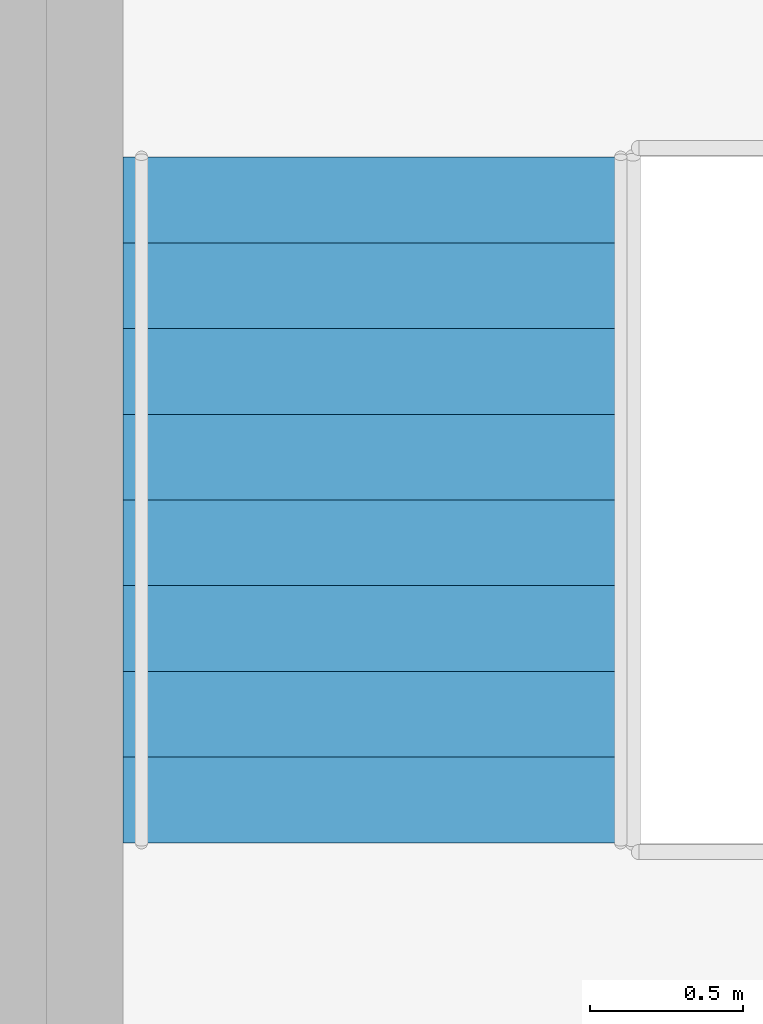
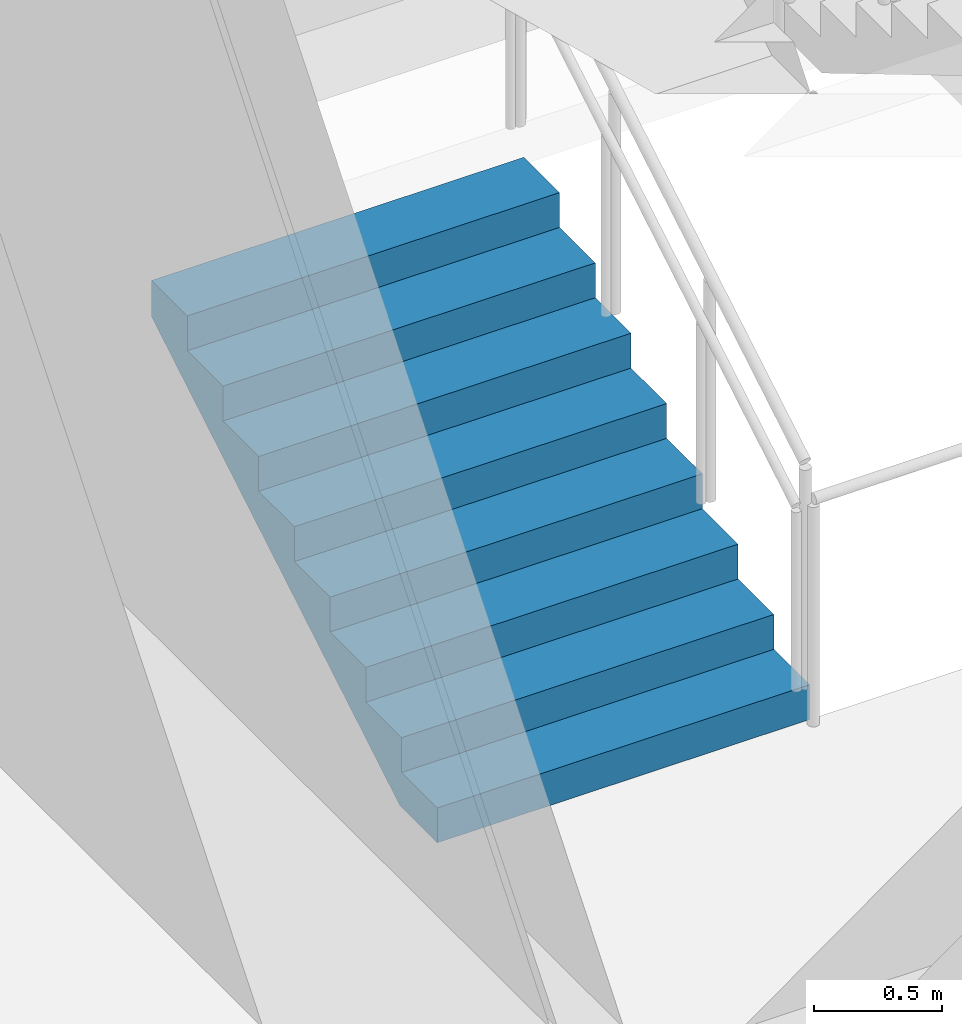
# One storey, part 35 of 57: 1 stair flight, 1 element without a shape of its own.
"""IFC4 building model written with IfcOpenShell, lengths in metres."""

from ifc_helpers import new_model, si_unit, direction, frame, origin, place, context, subcontext, project, spatial, triangles, material, type_object, element, aggregate, save


model = new_model("IFC4")

# Units and contexts
model_context = context("Model", 3, precision=1e-05, world=origin(), true_north=direction((0.0, 1.0)))
body_context = subcontext(model_context, "Body", "Model", "MODEL_VIEW")
ifc_project = project(units=[si_unit("LENGTHUNIT", "METRE"), si_unit("AREAUNIT", "SQUARE_METRE"), si_unit("VOLUMEUNIT", "CUBIC_METRE"), si_unit("PLANEANGLEUNIT", "RADIAN"), si_unit("MASSUNIT", "GRAM", prefix="KILO")], contexts=[model_context])

# Site, building, storey
site_placement = place(None, origin())
site = spatial("IfcSite", under=ifc_project, at=site_placement, CompositionType="ELEMENT")
building_placement = place(site_placement, origin())
building = spatial("IfcBuilding", under=site, at=building_placement, Name="Orbita Commons", CompositionType="ELEMENT")
storey_placement = place(building_placement, origin())
storey = spatial("IfcBuildingStorey", under=building, at=storey_placement, Name="L00", CompositionType="ELEMENT", Elevation=0.0)

# Stair, stair flight
ifc_material_1 = material(Name="Precast concrete C40/50", Category="concrete")
stair_type = type_object("IfcStairType", Name="Podium exit stair 4 flights 9 risers 167", PredefinedType="HALF_TURN_STAIR", material=ifc_material_1)
stair_placement = place(storey_placement, origin())
stair = element("IfcStair", 1, at=stair_placement, inside=storey, type_object=stair_type, Name="Podium exit stair PS2 L00", PredefinedType="HALF_TURN_STAIR")
ifc_material_2 = material(Name="Precast concrete C40/50", Category="concrete")
stair_flight_type = type_object("IfcStairFlightType", Name="Podium stair flight 9 risers 167 x 1685", PredefinedType="STRAIGHT", material=ifc_material_2)
stair_flight_placement = place(storey_placement, frame((73.5673828125, 29.820068359375, 0.0), z_axis=(0.0, 0.0, 1.0), x_axis=(0.0, 1.0, 0.0)))
stair_flight = element("IfcStairFlight", 2, at=stair_flight_placement, type_object=stair_flight_type, Name="PS2 flight 1", NumberOfRisers=9, NumberOfTreads=8, PredefinedType="STRAIGHT", RiserHeight=0.166666667, TreadLength=0.28, context=body_context, shape_type="Tessellation", body=[
    triangles([(0.0, 0.842529, 0.0), (0.0, 0.842529, 0.020833), (0.0, 0.702108, 0.020833), (0.0, 0.702108, 0.0), (0.0, 0.561686, 0.020833), (0.0, 0.561686, 0.0), (0.0, 0.421265, 0.020833), (0.0, 0.421265, 0.0), (0.0, 0.280843, 0.020833), (0.0, 0.280843, 0.0), (0.0, 0.140422, 0.020833), (0.0, 0.140422, 0.0), (0.0, 0.0, 0.020833), (0.0, 0.0, 0.0), (0.0, -0.140422, 0.020833), (0.0, -0.140422, 0.0), (0.0, -0.280843, 0.020833), (0.0, -0.280843, 0.0), (0.0, -0.421265, 0.020833), (0.0, -0.421265, 0.0), (0.0, -0.561686, 0.020833), (0.0, -0.561686, 0.0), (0.0, -0.702108, 0.020833), (0.0, -0.702108, 0.0), (0.0, -0.842529, 0.020833), (0.0, -0.842529, 0.0), (0.0, 0.842529, 0.041667), (0.0, 0.702108, 0.041667), (0.0, 0.561686, 0.041667), (0.0, 0.421265, 0.041667), (0.0, 0.280843, 0.041667), (0.0, 0.140422, 0.041667), (0.0, 0.0, 0.041667), (0.0, -0.140422, 0.041667), (0.0, -0.280843, 0.041667), (0.0, -0.421265, 0.041667), (0.0, -0.561686, 0.041667), (0.0, -0.702108, 0.041667), (0.0, -0.842529, 0.041667), (0.0, 0.842529, 0.0625), (0.0, 0.702108, 0.0625), (0.0, 0.561686, 0.0625), (0.0, 0.421265, 0.0625), (0.0, 0.280843, 0.0625), (0.0, 0.140422, 0.0625), (0.0, 0.0, 0.0625), (0.0, -0.140422, 0.0625), (0.0, -0.280843, 0.0625), (0.0, -0.421265, 0.0625), (0.0, -0.561686, 0.0625), (0.0, -0.702108, 0.0625), (0.0, -0.842529, 0.0625), (0.0, 0.842529, 0.083333), (0.0, 0.702108, 0.083333), (0.0, 0.561686, 0.083333), (0.0, 0.421265, 0.083333), (0.0, 0.280843, 0.083333), (0.0, 0.140422, 0.083333), (0.0, 0.0, 0.083333), (0.0, -0.140422, 0.083333), (0.0, -0.280843, 0.083333), (0.0, -0.421265, 0.083333), (0.0, -0.561686, 0.083333), (0.0, -0.702108, 0.083333), (0.0, -0.842529, 0.083333), (0.0, 0.842529, 0.104167), (0.0, 0.702108, 0.104167), (0.0, 0.561686, 0.104167), (0.0, 0.421265, 0.104167), (0.0, 0.280843, 0.104167), (0.0, 0.140422, 0.104167), (0.0, 0.0, 0.104167), (0.0, -0.140422, 0.104167), (0.0, -0.280843, 0.104167), (0.0, -0.421265, 0.104167), (0.0, -0.561686, 0.104167), (0.0, -0.702108, 0.104167), (0.0, -0.842529, 0.104167), (0.0, 0.842529, 0.125), (0.0, 0.702108, 0.125), (0.0, 0.561686, 0.125), (0.0, 0.421265, 0.125), (0.0, 0.280843, 0.125), (0.0, 0.140422, 0.125), (0.0, 0.0, 0.125), (0.0, -0.140422, 0.125), (0.0, -0.280843, 0.125), (0.0, -0.421265, 0.125), (0.0, -0.561686, 0.125), (0.0, -0.702108, 0.125), (0.0, -0.842529, 0.125), (0.0, 0.842529, 0.145833), (0.0, 0.702108, 0.145833), (0.0, 0.561686, 0.145833), (0.0, 0.421265, 0.145833), (0.0, 0.280843, 0.145833), (0.0, 0.140422, 0.145833), (0.0, 0.0, 0.145833), (0.0, -0.140422, 0.145833), (0.0, -0.280843, 0.145833), (0.0, -0.421265, 0.145833), (0.0, -0.561686, 0.145833), (0.0, -0.702108, 0.145833), (0.0, -0.842529, 0.145833), (0.0, 0.842529, 0.166667), (0.0, 0.702108, 0.166667), (0.0, 0.561686, 0.166667), (0.0, 0.421265, 0.166667), (0.0, 0.280843, 0.166667), (0.0, 0.140422, 0.166667), (0.0, 0.0, 0.166667), (0.0, -0.140422, 0.166667), (0.0, -0.280843, 0.166667), (0.0, -0.421265, 0.166667), (0.0, -0.561686, 0.166667), (0.0, -0.702108, 0.166667), (0.0, -0.842529, 0.166667), (0.28, 0.842529, 0.166667), (0.28, 0.702108, 0.166667), (0.28, 0.561686, 0.166667), (0.28, 0.421265, 0.166667), (0.28, 0.280843, 0.166667), (0.28, 0.140422, 0.166667), (0.28, 0.0, 0.166667), (0.28, -0.140422, 0.166667), (0.28, -0.280843, 0.166667), (0.28, -0.421265, 0.166667), (0.28, -0.561686, 0.166667), (0.28, -0.702108, 0.166667), (0.28, -0.842529, 0.166667), (0.28, 0.842529, 0.333333), (0.28, 0.702108, 0.333333), (0.28, 0.561686, 0.333333), (0.28, 0.421265, 0.333333), (0.28, 0.280843, 0.333333), (0.28, 0.140422, 0.333333), (0.28, 0.0, 0.333333), (0.28, -0.140422, 0.333333), (0.28, -0.280843, 0.333333), (0.28, -0.421265, 0.333333), (0.28, -0.561686, 0.333333), (0.28, -0.702108, 0.333333), (0.28, -0.842529, 0.333333), (0.56, 0.842529, 0.333333), (0.56, 0.702108, 0.333333), (0.56, 0.561686, 0.333333), (0.56, 0.421265, 0.333333), (0.56, 0.280843, 0.333333), (0.56, 0.140422, 0.333333), (0.56, 0.0, 0.333333), (0.56, -0.140422, 0.333333), (0.56, -0.280843, 0.333333), (0.56, -0.421265, 0.333333), (0.56, -0.561686, 0.333333), (0.56, -0.702108, 0.333333), (0.56, -0.842529, 0.333333), (0.56, 0.842529, 0.5), (0.56, 0.702108, 0.5), (0.56, 0.561686, 0.5), (0.56, 0.421265, 0.5), (0.56, 0.280843, 0.5), (0.56, 0.140422, 0.5), (0.56, 0.0, 0.5), (0.56, -0.140422, 0.5), (0.56, -0.280843, 0.5), (0.56, -0.421265, 0.5), (0.56, -0.561686, 0.5), (0.56, -0.702108, 0.5), (0.56, -0.842529, 0.5), (0.84, 0.842529, 0.5), (0.84, 0.702108, 0.5), (0.84, 0.561686, 0.5), (0.84, 0.421265, 0.5), (0.84, 0.280843, 0.5), (0.84, 0.140422, 0.5), (0.84, 0.0, 0.5), (0.84, -0.140422, 0.5), (0.84, -0.280843, 0.5), (0.84, -0.421265, 0.5), (0.84, -0.561686, 0.5), (0.84, -0.702108, 0.5), (0.84, -0.842529, 0.5), (0.84, 0.842529, 0.666667), (0.84, 0.702108, 0.666667), (0.84, 0.561686, 0.666667), (0.84, 0.421265, 0.666667), (0.84, 0.280843, 0.666667), (0.84, 0.140422, 0.666667), (0.84, 0.0, 0.666667), (0.84, -0.140422, 0.666667), (0.84, -0.280843, 0.666667), (0.84, -0.421265, 0.666667), (0.84, -0.561686, 0.666667), (0.84, -0.702108, 0.666667), (0.84, -0.842529, 0.666667), (1.12, 0.842529, 0.666667), (1.12, 0.702108, 0.666667), (1.12, 0.561686, 0.666667), (1.12, 0.421265, 0.666667), (1.12, 0.280843, 0.666667), (1.12, 0.140422, 0.666667), (1.12, 0.0, 0.666667), (1.12, -0.140422, 0.666667), (1.12, -0.280843, 0.666667), (1.12, -0.421265, 0.666667), (1.12, -0.561686, 0.666667), (1.12, -0.702108, 0.666667), (1.12, -0.842529, 0.666667), (1.12, 0.842529, 0.833333), (1.12, 0.702108, 0.833333), (1.12, 0.561686, 0.833333), (1.12, 0.421265, 0.833333), (1.12, 0.280843, 0.833333), (1.12, 0.140422, 0.833333), (1.12, 0.0, 0.833333), (1.12, -0.140422, 0.833333), (1.12, -0.280843, 0.833333), (1.12, -0.421265, 0.833333), (1.12, -0.561686, 0.833333), (1.12, -0.702108, 0.833333), (1.12, -0.842529, 0.833333), (1.4, 0.842529, 0.833333), (1.4, 0.702108, 0.833333), (1.4, 0.561686, 0.833333), (1.4, 0.421265, 0.833333), (1.4, 0.280843, 0.833333), (1.4, 0.140422, 0.833333), (1.4, 0.0, 0.833333), (1.4, -0.140422, 0.833333), (1.4, -0.280843, 0.833333), (1.4, -0.421265, 0.833333), (1.4, -0.561686, 0.833333), (1.4, -0.702108, 0.833333), (1.4, -0.842529, 0.833333), (1.4, 0.842529, 1.0), (1.4, 0.702108, 1.0), (1.4, 0.561686, 1.0), (1.4, 0.421265, 1.0), (1.4, 0.280843, 1.0), (1.4, 0.140422, 1.0), (1.4, 0.0, 1.0), (1.4, -0.140422, 1.0), (1.4, -0.280843, 1.0), (1.4, -0.421265, 1.0), (1.4, -0.561686, 1.0), (1.4, -0.702108, 1.0), (1.4, -0.842529, 1.0), (1.68, 0.842529, 1.0), (1.68, 0.702108, 1.0), (1.68, 0.561686, 1.0), (1.68, 0.421265, 1.0), (1.68, 0.280843, 1.0), (1.68, 0.140422, 1.0), (1.68, 0.0, 1.0), (1.68, -0.140422, 1.0), (1.68, -0.280843, 1.0), (1.68, -0.421265, 1.0), (1.68, -0.561686, 1.0), (1.68, -0.702108, 1.0), (1.68, -0.842529, 1.0), (1.68, 0.842529, 1.166667), (1.68, 0.702108, 1.166667), (1.68, 0.561686, 1.166667), (1.68, 0.421265, 1.166667), (1.68, 0.280843, 1.166667), (1.68, 0.140422, 1.166667), (1.68, 0.0, 1.166667), (1.68, -0.140422, 1.166667), (1.68, -0.280843, 1.166667), (1.68, -0.421265, 1.166667), (1.68, -0.561686, 1.166667), (1.68, -0.702108, 1.166667), (1.68, -0.842529, 1.166667), (1.96, 0.842529, 1.166667), (1.96, 0.702108, 1.166667), (1.96, 0.561686, 1.166667), (1.96, 0.421265, 1.166667), (1.96, 0.280843, 1.166667), (1.96, 0.140422, 1.166667), (1.96, 0.0, 1.166667), (1.96, -0.140422, 1.166667), (1.96, -0.280843, 1.166667), (1.96, -0.421265, 1.166667), (1.96, -0.561686, 1.166667), (1.96, -0.702108, 1.166667), (1.96, -0.842529, 1.166667), (1.96, 0.842529, 1.333333), (1.96, 0.702108, 1.333333), (1.96, 0.561686, 1.333333), (1.96, 0.421265, 1.333333), (1.96, 0.280843, 1.333333), (1.96, 0.140422, 1.333333), (1.96, 0.0, 1.333333), (1.96, -0.140422, 1.333333), (1.96, -0.280843, 1.333333), (1.96, -0.421265, 1.333333), (1.96, -0.561686, 1.333333), (1.96, -0.702108, 1.333333), (1.96, -0.842529, 1.333333), (2.24, 0.842529, 1.333333), (2.24, 0.702108, 1.333333), (2.24, 0.561686, 1.333333), (2.24, 0.421265, 1.333333), (2.24, 0.280843, 1.333333), (2.24, 0.140422, 1.333333), (2.24, 0.0, 1.333333), (2.24, -0.140422, 1.333333), (2.24, -0.280843, 1.333333), (2.24, -0.421265, 1.333333), (2.24, -0.561686, 1.333333), (2.24, -0.702108, 1.333333), (2.24, -0.842529, 1.333333), (2.24, 0.842529, 1.311527), (2.24, 0.702108, 1.311527), (2.24, 0.561686, 1.311527), (2.24, 0.421265, 1.311527), (2.24, 0.280843, 1.311527), (2.24, 0.140422, 1.311527), (2.24, 0.0, 1.311527), (2.24, -0.140422, 1.311527), (2.24, -0.280843, 1.311527), (2.24, -0.421265, 1.311527), (2.24, -0.561686, 1.311527), (2.24, -0.702108, 1.311527), (2.24, -0.842529, 1.311527), (2.24, 0.842529, 1.289721), (2.24, 0.702108, 1.289721), (2.24, 0.561686, 1.289721), (2.24, 0.421265, 1.289721), (2.24, 0.280843, 1.289721), (2.24, 0.140422, 1.289721), (2.24, 0.0, 1.289721), (2.24, -0.140422, 1.289721), (2.24, -0.280843, 1.289721), (2.24, -0.421265, 1.289721), (2.24, -0.561686, 1.289721), (2.24, -0.702108, 1.289721), (2.24, -0.842529, 1.289721), (2.24, 0.842529, 1.267915), (2.24, 0.702108, 1.267915), (2.24, 0.561686, 1.267915), (2.24, 0.421265, 1.267915), (2.24, 0.280843, 1.267915), (2.24, 0.140422, 1.267915), (2.24, 0.0, 1.267915), (2.24, -0.140422, 1.267915), (2.24, -0.280843, 1.267915), (2.24, -0.421265, 1.267915), (2.24, -0.561686, 1.267915), (2.24, -0.702108, 1.267915), (2.24, -0.842529, 1.267915), (2.24, 0.842529, 1.246109), (2.24, 0.702108, 1.246109), (2.24, 0.561686, 1.246109), (2.24, 0.421265, 1.246109), (2.24, 0.280843, 1.246109), (2.24, 0.140422, 1.246109), (2.24, 0.0, 1.246109), (2.24, -0.140422, 1.246109), (2.24, -0.280843, 1.246109), (2.24, -0.421265, 1.246109), (2.24, -0.561686, 1.246109), (2.24, -0.702108, 1.246109), (2.24, -0.842529, 1.246109), (2.24, 0.842529, 1.224303), (2.24, 0.702108, 1.224303), (2.24, 0.561686, 1.224303), (2.24, 0.421265, 1.224303), (2.24, 0.280843, 1.224303), (2.24, 0.140422, 1.224303), (2.24, 0.0, 1.224303), (2.24, -0.140422, 1.224303), (2.24, -0.280843, 1.224303), (2.24, -0.421265, 1.224303), (2.24, -0.561686, 1.224303), (2.24, -0.702108, 1.224303), (2.24, -0.842529, 1.224303), (2.24, 0.842529, 1.202497), (2.24, 0.702108, 1.202497), (2.24, 0.561686, 1.202497), (2.24, 0.421265, 1.202497), (2.24, 0.280843, 1.202497), (2.24, 0.140422, 1.202497), (2.24, 0.0, 1.202497), (2.24, -0.140422, 1.202497), (2.24, -0.280843, 1.202497), (2.24, -0.421265, 1.202497), (2.24, -0.561686, 1.202497), (2.24, -0.702108, 1.202497), (2.24, -0.842529, 1.202497), (2.24, 0.842529, 1.180691), (2.24, 0.702108, 1.180691), (2.24, 0.561686, 1.180691), (2.24, 0.421265, 1.180691), (2.24, 0.280843, 1.180691), (2.24, 0.140422, 1.180691), (2.24, 0.0, 1.180691), (2.24, -0.140422, 1.180691), (2.24, -0.280843, 1.180691), (2.24, -0.421265, 1.180691), (2.24, -0.561686, 1.180691), (2.24, -0.702108, 1.180691), (2.24, -0.842529, 1.180691), (2.24, 0.842529, 1.158885), (2.24, 0.702108, 1.158885), (2.24, 0.561686, 1.158885), (2.24, 0.421265, 1.158885), (2.24, 0.280843, 1.158885), (2.24, 0.140422, 1.158885), (2.24, 0.0, 1.158885), (2.24, -0.140422, 1.158885), (2.24, -0.280843, 1.158885), (2.24, -0.421265, 1.158885), (2.24, -0.561686, 1.158885), (2.24, -0.702108, 1.158885), (2.24, -0.842529, 1.158885), (0.293073, 0.842529, 0.0), (0.293073, 0.702108, 0.0), (0.293073, 0.561686, 0.0), (0.293073, 0.421265, 0.0), (0.293073, 0.280843, 0.0), (0.293073, 0.140422, 0.0), (0.293073, 0.0, 0.0), (0.293073, -0.140422, 0.0), (0.293073, -0.280843, 0.0), (0.293073, -0.421265, 0.0), (0.293073, -0.561686, 0.0), (0.293073, -0.702108, 0.0), (0.293073, -0.842529, 0.0)], [[3, 2, 1], [4, 3, 1], [5, 3, 4], [6, 5, 4], [7, 5, 6], [8, 7, 6], [9, 7, 8], [10, 9, 8], [11, 9, 10], [12, 11, 10], [13, 11, 12], [14, 13, 12], [15, 13, 14], [16, 15, 14], [17, 15, 16], [18, 17, 16], [19, 17, 18], [20, 19, 18], [21, 19, 20], [22, 21, 20], [23, 21, 22], [24, 23, 22], [25, 23, 24], [26, 25, 24], [28, 27, 2], [3, 28, 2], [29, 28, 3], [5, 29, 3], [30, 29, 5], [7, 30, 5], [31, 30, 7], [9, 31, 7], [32, 31, 9], [11, 32, 9], [33, 32, 11], [13, 33, 11], [34, 33, 13], [15, 34, 13], [35, 34, 15], [17, 35, 15], [36, 35, 17], [19, 36, 17], [37, 36, 19], [21, 37, 19], [38, 37, 21], [23, 38, 21], [39, 38, 23], [25, 39, 23], [41, 40, 27], [28, 41, 27], [42, 41, 28], [29, 42, 28], [43, 42, 29], [30, 43, 29], [44, 43, 30], [31, 44, 30], [45, 44, 31], [32, 45, 31], [46, 45, 32], [33, 46, 32], [47, 46, 33], [34, 47, 33], [48, 47, 34], [35, 48, 34], [49, 48, 35], [36, 49, 35], [50, 49, 36], [37, 50, 36], [51, 50, 37], [38, 51, 37], [52, 51, 38], [39, 52, 38], [54, 53, 40], [41, 54, 40], [55, 54, 41], [42, 55, 41], [56, 55, 42], [43, 56, 42], [57, 56, 43], [44, 57, 43], [58, 57, 44], [45, 58, 44], [59, 58, 45], [46, 59, 45], [60, 59, 46], [47, 60, 46], [61, 60, 47], [48, 61, 47], [62, 61, 48], [49, 62, 48], [63, 62, 49], [50, 63, 49], [64, 63, 50], [51, 64, 50], [65, 64, 51], [52, 65, 51], [67, 66, 53], [54, 67, 53], [68, 67, 54], [55, 68, 54], [69, 68, 55], [56, 69, 55], [70, 69, 56], [57, 70, 56], [71, 70, 57], [58, 71, 57], [72, 71, 58], [59, 72, 58], [73, 72, 59], [60, 73, 59], [74, 73, 60], [61, 74, 60], [75, 74, 61], [62, 75, 61], [76, 75, 62], [63, 76, 62], [77, 76, 63], [64, 77, 63], [78, 77, 64], [65, 78, 64], [80, 79, 66], [67, 80, 66], [81, 80, 67], [68, 81, 67], [82, 81, 68], [69, 82, 68], [83, 82, 69], [70, 83, 69], [84, 83, 70], [71, 84, 70], [85, 84, 71], [72, 85, 71], [86, 85, 72], [73, 86, 72], [87, 86, 73], [74, 87, 73], [88, 87, 74], [75, 88, 74], [89, 88, 75], [76, 89, 75], [90, 89, 76], [77, 90, 76], [91, 90, 77], [78, 91, 77], [93, 92, 79], [80, 93, 79], [94, 93, 80], [81, 94, 80], [95, 94, 81], [82, 95, 81], [96, 95, 82], [83, 96, 82], [97, 96, 83], [84, 97, 83], [98, 97, 84], [85, 98, 84], [99, 98, 85], [86, 99, 85], [100, 99, 86], [87, 100, 86], [101, 100, 87], [88, 101, 87], [102, 101, 88], [89, 102, 88], [103, 102, 89], [90, 103, 89], [104, 103, 90], [91, 104, 90], [106, 105, 92], [93, 106, 92], [107, 106, 93], [94, 107, 93], [108, 107, 94], [95, 108, 94], [109, 108, 95], [96, 109, 95], [110, 109, 96], [97, 110, 96], [111, 110, 97], [98, 111, 97], [112, 111, 98], [99, 112, 98], [113, 112, 99], [100, 113, 99], [114, 113, 100], [101, 114, 100], [115, 114, 101], [102, 115, 101], [116, 115, 102], [103, 116, 102], [117, 116, 103], [104, 117, 103], [119, 118, 105], [106, 119, 105], [120, 119, 106], [107, 120, 106], [121, 120, 107], [108, 121, 107], [122, 121, 108], [109, 122, 108], [123, 122, 109], [110, 123, 109], [124, 123, 110], [111, 124, 110], [125, 124, 111], [112, 125, 111], [126, 125, 112], [113, 126, 112], [127, 126, 113], [114, 127, 113], [128, 127, 114], [115, 128, 114], [129, 128, 115], [116, 129, 115], [130, 129, 116], [117, 130, 116], [132, 131, 118], [119, 132, 118], [133, 132, 119], [120, 133, 119], [134, 133, 120], [121, 134, 120], [135, 134, 121], [122, 135, 121], [136, 135, 122], [123, 136, 122], [137, 136, 123], [124, 137, 123], [138, 137, 124], [125, 138, 124], [139, 138, 125], [126, 139, 125], [140, 139, 126], [127, 140, 126], [141, 140, 127], [128, 141, 127], [142, 141, 128], [129, 142, 128], [143, 142, 129], [130, 143, 129], [145, 144, 131], [132, 145, 131], [146, 145, 132], [133, 146, 132], [147, 146, 133], [134, 147, 133], [148, 147, 134], [135, 148, 134], [149, 148, 135], [136, 149, 135], [150, 149, 136], [137, 150, 136], [151, 150, 137], [138, 151, 137], [152, 151, 138], [139, 152, 138], [153, 152, 139], [140, 153, 139], [154, 153, 140], [141, 154, 140], [155, 154, 141], [142, 155, 141], [156, 155, 142], [143, 156, 142], [158, 157, 144], [145, 158, 144], [159, 158, 145], [146, 159, 145], [160, 159, 146], [147, 160, 146], [161, 160, 147], [148, 161, 147], [162, 161, 148], [149, 162, 148], [163, 162, 149], [150, 163, 149], [164, 163, 150], [151, 164, 150], [165, 164, 151], [152, 165, 151], [166, 165, 152], [153, 166, 152], [167, 166, 153], [154, 167, 153], [168, 167, 154], [155, 168, 154], [169, 168, 155], [156, 169, 155], [171, 170, 157], [158, 171, 157], [172, 171, 158], [159, 172, 158], [173, 172, 159], [160, 173, 159], [174, 173, 160], [161, 174, 160], [175, 174, 161], [162, 175, 161], [176, 175, 162], [163, 176, 162], [177, 176, 163], [164, 177, 163], [178, 177, 164], [165, 178, 164], [179, 178, 165], [166, 179, 165], [180, 179, 166], [167, 180, 166], [181, 180, 167], [168, 181, 167], [182, 181, 168], [169, 182, 168], [184, 183, 170], [171, 184, 170], [185, 184, 171], [172, 185, 171], [186, 185, 172], [173, 186, 172], [187, 186, 173], [174, 187, 173], [188, 187, 174], [175, 188, 174], [189, 188, 175], [176, 189, 175], [190, 189, 176], [177, 190, 176], [191, 190, 177], [178, 191, 177], [192, 191, 178], [179, 192, 178], [193, 192, 179], [180, 193, 179], [194, 193, 180], [181, 194, 180], [195, 194, 181], [182, 195, 181], [197, 196, 183], [184, 197, 183], [198, 197, 184], [185, 198, 184], [199, 198, 185], [186, 199, 185], [200, 199, 186], [187, 200, 186], [201, 200, 187], [188, 201, 187], [202, 201, 188], [189, 202, 188], [203, 202, 189], [190, 203, 189], [204, 203, 190], [191, 204, 190], [205, 204, 191], [192, 205, 191], [206, 205, 192], [193, 206, 192], [207, 206, 193], [194, 207, 193], [208, 207, 194], [195, 208, 194], [210, 209, 196], [197, 210, 196], [211, 210, 197], [198, 211, 197], [212, 211, 198], [199, 212, 198], [213, 212, 199], [200, 213, 199], [214, 213, 200], [201, 214, 200], [215, 214, 201], [202, 215, 201], [216, 215, 202], [203, 216, 202], [217, 216, 203], [204, 217, 203], [218, 217, 204], [205, 218, 204], [219, 218, 205], [206, 219, 205], [220, 219, 206], [207, 220, 206], [221, 220, 207], [208, 221, 207], [223, 222, 209], [210, 223, 209], [224, 223, 210], [211, 224, 210], [225, 224, 211], [212, 225, 211], [226, 225, 212], [213, 226, 212], [227, 226, 213], [214, 227, 213], [228, 227, 214], [215, 228, 214], [229, 228, 215], [216, 229, 215], [230, 229, 216], [217, 230, 216], [231, 230, 217], [218, 231, 217], [232, 231, 218], [219, 232, 218], [233, 232, 219], [220, 233, 219], [234, 233, 220], [221, 234, 220], [236, 235, 222], [223, 236, 222], [237, 236, 223], [224, 237, 223], [238, 237, 224], [225, 238, 224], [239, 238, 225], [226, 239, 225], [240, 239, 226], [227, 240, 226], [241, 240, 227], [228, 241, 227], [242, 241, 228], [229, 242, 228], [243, 242, 229], [230, 243, 229], [244, 243, 230], [231, 244, 230], [245, 244, 231], [232, 245, 231], [246, 245, 232], [233, 246, 232], [247, 246, 233], [234, 247, 233], [249, 248, 235], [236, 249, 235], [250, 249, 236], [237, 250, 236], [251, 250, 237], [238, 251, 237], [252, 251, 238], [239, 252, 238], [253, 252, 239], [240, 253, 239], [254, 253, 240], [241, 254, 240], [255, 254, 241], [242, 255, 241], [256, 255, 242], [243, 256, 242], [257, 256, 243], [244, 257, 243], [258, 257, 244], [245, 258, 244], [259, 258, 245], [246, 259, 245], [260, 259, 246], [247, 260, 246], [262, 261, 248], [249, 262, 248], [263, 262, 249], [250, 263, 249], [264, 263, 250], [251, 264, 250], [265, 264, 251], [252, 265, 251], [266, 265, 252], [253, 266, 252], [267, 266, 253], [254, 267, 253], [268, 267, 254], [255, 268, 254], [269, 268, 255], [256, 269, 255], [270, 269, 256], [257, 270, 256], [271, 270, 257], [258, 271, 257], [272, 271, 258], [259, 272, 258], [273, 272, 259], [260, 273, 259], [275, 274, 261], [262, 275, 261], [276, 275, 262], [263, 276, 262], [277, 276, 263], [264, 277, 263], [278, 277, 264], [265, 278, 264], [279, 278, 265], [266, 279, 265], [280, 279, 266], [267, 280, 266], [281, 280, 267], [268, 281, 267], [282, 281, 268], [269, 282, 268], [283, 282, 269], [270, 283, 269], [284, 283, 270], [271, 284, 270], [285, 284, 271], [272, 285, 271], [286, 285, 272], [273, 286, 272], [288, 287, 274], [275, 288, 274], [289, 288, 275], [276, 289, 275], [290, 289, 276], [277, 290, 276], [291, 290, 277], [278, 291, 277], [292, 291, 278], [279, 292, 278], [293, 292, 279], [280, 293, 279], [294, 293, 280], [281, 294, 280], [295, 294, 281], [282, 295, 281], [296, 295, 282], [283, 296, 282], [297, 296, 283], [284, 297, 283], [298, 297, 284], [285, 298, 284], [299, 298, 285], [286, 299, 285], [301, 300, 287], [288, 301, 287], [302, 301, 288], [289, 302, 288], [303, 302, 289], [290, 303, 289], [304, 303, 290], [291, 304, 290], [305, 304, 291], [292, 305, 291], [306, 305, 292], [293, 306, 292], [307, 306, 293], [294, 307, 293], [308, 307, 294], [295, 308, 294], [309, 308, 295], [296, 309, 295], [310, 309, 296], [297, 310, 296], [311, 310, 297], [298, 311, 297], [312, 311, 298], [299, 312, 298], [314, 313, 300], [301, 314, 300], [315, 314, 301], [302, 315, 301], [316, 315, 302], [303, 316, 302], [317, 316, 303], [304, 317, 303], [318, 317, 304], [305, 318, 304], [319, 318, 305], [306, 319, 305], [320, 319, 306], [307, 320, 306], [321, 320, 307], [308, 321, 307], [322, 321, 308], [309, 322, 308], [323, 322, 309], [310, 323, 309], [324, 323, 310], [311, 324, 310], [325, 324, 311], [312, 325, 311], [327, 326, 313], [314, 327, 313], [328, 327, 314], [315, 328, 314], [329, 328, 315], [316, 329, 315], [330, 329, 316], [317, 330, 316], [331, 330, 317], [318, 331, 317], [332, 331, 318], [319, 332, 318], [333, 332, 319], [320, 333, 319], [334, 333, 320], [321, 334, 320], [335, 334, 321], [322, 335, 321], [336, 335, 322], [323, 336, 322], [337, 336, 323], [324, 337, 323], [338, 337, 324], [325, 338, 324], [340, 339, 326], [327, 340, 326], [341, 340, 327], [328, 341, 327], [342, 341, 328], [329, 342, 328], [343, 342, 329], [330, 343, 329], [344, 343, 330], [331, 344, 330], [345, 344, 331], [332, 345, 331], [346, 345, 332], [333, 346, 332], [347, 346, 333], [334, 347, 333], [348, 347, 334], [335, 348, 334], [349, 348, 335], [336, 349, 335], [350, 349, 336], [337, 350, 336], [351, 350, 337], [338, 351, 337], [353, 352, 339], [340, 353, 339], [354, 353, 340], [341, 354, 340], [355, 354, 341], [342, 355, 341], [356, 355, 342], [343, 356, 342], [357, 356, 343], [344, 357, 343], [358, 357, 344], [345, 358, 344], [359, 358, 345], [346, 359, 345], [360, 359, 346], [347, 360, 346], [361, 360, 347], [348, 361, 347], [362, 361, 348], [349, 362, 348], [363, 362, 349], [350, 363, 349], [364, 363, 350], [351, 364, 350], [366, 365, 352], [353, 366, 352], [367, 366, 353], [354, 367, 353], [368, 367, 354], [355, 368, 354], [369, 368, 355], [356, 369, 355], [370, 369, 356], [357, 370, 356], [371, 370, 357], [358, 371, 357], [372, 371, 358], [359, 372, 358], [373, 372, 359], [360, 373, 359], [374, 373, 360], [361, 374, 360], [375, 374, 361], [362, 375, 361], [376, 375, 362], [363, 376, 362], [377, 376, 363], [364, 377, 363], [379, 378, 365], [366, 379, 365], [380, 379, 366], [367, 380, 366], [381, 380, 367], [368, 381, 367], [382, 381, 368], [369, 382, 368], [383, 382, 369], [370, 383, 369], [384, 383, 370], [371, 384, 370], [385, 384, 371], [372, 385, 371], [386, 385, 372], [373, 386, 372], [387, 386, 373], [374, 387, 373], [388, 387, 374], [375, 388, 374], [389, 388, 375], [376, 389, 375], [390, 389, 376], [377, 390, 376], [392, 391, 378], [379, 392, 378], [393, 392, 379], [380, 393, 379], [394, 393, 380], [381, 394, 380], [395, 394, 381], [382, 395, 381], [396, 395, 382], [383, 396, 382], [397, 396, 383], [384, 397, 383], [398, 397, 384], [385, 398, 384], [399, 398, 385], [386, 399, 385], [400, 399, 386], [387, 400, 386], [401, 400, 387], [388, 401, 387], [402, 401, 388], [389, 402, 388], [403, 402, 389], [390, 403, 389], [405, 404, 391], [392, 405, 391], [406, 405, 392], [393, 406, 392], [407, 406, 393], [394, 407, 393], [408, 407, 394], [395, 408, 394], [409, 408, 395], [396, 409, 395], [410, 409, 396], [397, 410, 396], [411, 410, 397], [398, 411, 397], [412, 411, 398], [399, 412, 398], [413, 412, 399], [400, 413, 399], [414, 413, 400], [401, 414, 400], [415, 414, 401], [402, 415, 401], [416, 415, 402], [403, 416, 402], [418, 417, 404], [405, 418, 404], [419, 418, 405], [406, 419, 405], [420, 419, 406], [407, 420, 406], [421, 420, 407], [408, 421, 407], [422, 421, 408], [409, 422, 408], [423, 422, 409], [410, 423, 409], [424, 423, 410], [411, 424, 410], [425, 424, 411], [412, 425, 411], [426, 425, 412], [413, 426, 412], [427, 426, 413], [414, 427, 413], [428, 427, 414], [415, 428, 414], [429, 428, 415], [416, 429, 415], [4, 1, 417], [418, 4, 417], [6, 4, 418], [419, 6, 418], [8, 6, 419], [420, 8, 419], [10, 8, 420], [421, 10, 420], [12, 10, 421], [422, 12, 421], [14, 12, 422], [423, 14, 422], [16, 14, 423], [424, 16, 423], [18, 16, 424], [425, 18, 424], [20, 18, 425], [426, 20, 425], [22, 20, 426], [427, 22, 426], [24, 22, 427], [428, 24, 427], [26, 24, 428], [429, 26, 428], [404, 417, 1], [26, 429, 416], [391, 404, 1], [26, 416, 403], [378, 391, 1], [26, 403, 390], [365, 378, 1], [26, 390, 377], [352, 365, 1], [26, 377, 364], [339, 352, 1], [26, 364, 351], [326, 339, 1], [26, 351, 338], [313, 326, 1], [26, 338, 325], [287, 300, 313], [325, 312, 299], [274, 287, 313], [325, 299, 286], [248, 261, 274], [286, 273, 260], [248, 274, 313], [325, 286, 260], [222, 235, 248], [260, 247, 234], [222, 248, 313], [325, 260, 234], [196, 209, 222], [234, 221, 208], [196, 222, 313], [325, 234, 208], [170, 183, 196], [208, 195, 182], [170, 196, 313], [325, 208, 182], [144, 157, 170], [182, 169, 156], [144, 170, 313], [325, 182, 156], [118, 131, 144], [156, 143, 130], [118, 144, 313], [325, 156, 130], [118, 313, 1], [26, 325, 130], [92, 105, 118], [130, 117, 104], [79, 92, 118], [130, 104, 91], [66, 79, 118], [130, 91, 78], [53, 66, 118], [130, 78, 65], [40, 53, 118], [130, 65, 52], [27, 40, 118], [130, 52, 39], [2, 27, 118], [130, 39, 25], [1, 2, 118], [130, 25, 26]], closed=True),
])
aggregate(stair, [stair_flight])

save(model, "model.ifc")
